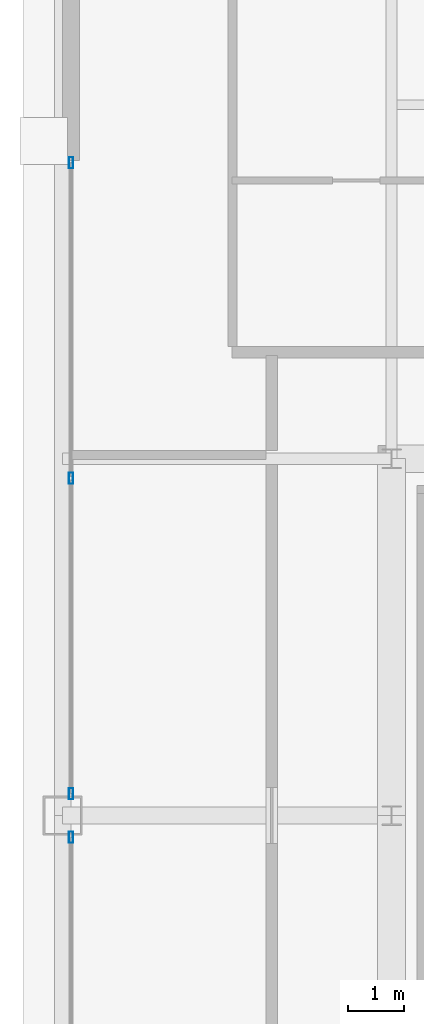
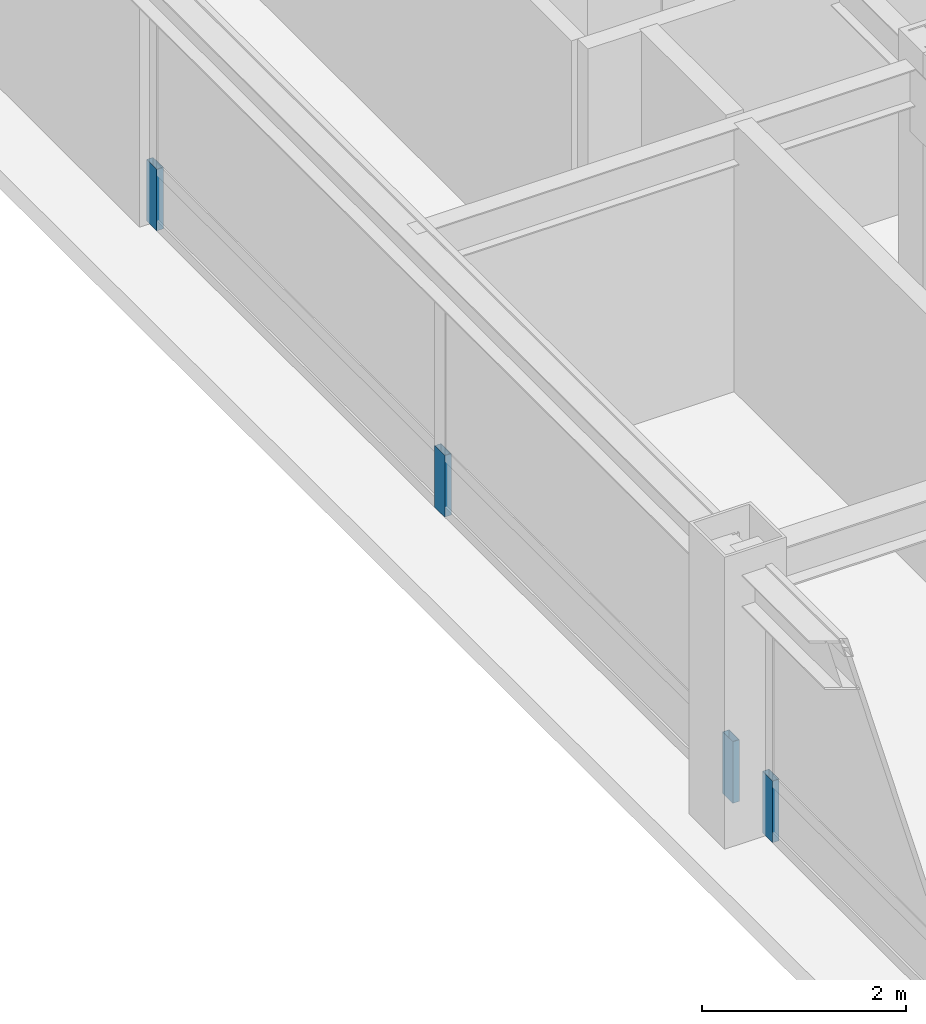
# One storey, part 24 of 35: 4 members, 2 elements without a shape of their own.
"""IFC4 building model written with IfcOpenShell, lengths in metres."""

import ifcopenshell
import ifcopenshell.guid

model = None  # the IFC model being written
_history = None  # IfcOwnerHistory: only IFC2X3 demands one
_inside = {}  # id of a spatial element -> (the spatial element, [elements in it])
_under = {}  # id of a project, library or spatial element -> (it, [spatial elements below it])
_declared = {}  # id of a project -> (the project, [libraries it declares])
_typed = {}  # id of a type object -> (the type object, [elements of that type])
_made_of = {}  # id of a material, layer set ... -> (it, [elements and type objects made of it])


def new_model(schema):
    """Start an empty IFC model of exactly this schema.

    Asked for "IFC4X3", IfcOpenShell would pick the latest addendum, in which some entities
    have other attributes; the version numbers below select the first issue.
    IFC2X3 requires an IfcOwnerHistory on every rooted entity: one is made here for all.
    """
    global model, _history
    if schema == "IFC4X3":
        model = ifcopenshell.file(schema_version=(4, 3, 0, 0))
    else:
        model = ifcopenshell.file(schema=schema)
    _inside.clear()
    _under.clear()
    _declared.clear()
    _typed.clear()
    _made_of.clear()
    _history = None
    if model.schema == "IFC2X3":
        org = make("IfcOrganization", Name="unknown")
        user = make(
            "IfcPersonAndOrganization",
            ThePerson=make("IfcPerson", FamilyName="unknown"),
            TheOrganization=org,
        )
        app = make(
            "IfcApplication",
            ApplicationDeveloper=org,
            Version="unknown",
            ApplicationFullName="unknown",
            ApplicationIdentifier="unknown",
        )
        _history = make(
            "IfcOwnerHistory",
            OwningUser=user,
            OwningApplication=app,
            ChangeAction="ADDED",
            CreationDate=0,
        )
    return model


def make(cls, **values):
    """One entity of the class cls with the attributes given. An attribute that is None is left unset."""
    return model.create_entity(
        cls, **{name: value for name, value in values.items() if value is not None}
    )


def rooted(cls, **values):
    """An entity with a GlobalId (a new one), such as an element, a storey or a relation."""
    return make(cls, GlobalId=ifcopenshell.guid.new(), OwnerHistory=_history, **values)


def si_unit(unit_type, name, prefix=None):
    """IfcSIUnit, for example si_unit("LENGTHUNIT", "METRE", prefix="MILLI")."""
    return make("IfcSIUnit", UnitType=unit_type, Prefix=prefix, Name=name)


def assignment(units):
    """IfcUnitAssignment: the units of a project."""
    return None if units is None else make("IfcUnitAssignment", Units=units)


def point(xyz):
    """IfcCartesianPoint."""
    return None if xyz is None else make("IfcCartesianPoint", Coordinates=xyz)


def direction(xyz):
    """IfcDirection."""
    return None if xyz is None else make("IfcDirection", DirectionRatios=xyz)


def frame(location, z_axis=None, x_axis=None):
    """IfcAxis2Placement3D, a coordinate frame: its origin and axes. An axis left out is left unset."""
    return make(
        "IfcAxis2Placement3D",
        Location=point(location),
        Axis=direction(z_axis),
        RefDirection=direction(x_axis),
    )


def frame_2d(location, x_axis=None):
    """IfcAxis2Placement2D, a coordinate frame in the plane: its origin and x axis."""
    return make(
        "IfcAxis2Placement2D", Location=point(location), RefDirection=direction(x_axis)
    )


def origin():
    """The frame at (0, 0, 0) with its axes left unset."""
    return frame((0.0, 0.0, 0.0))


def origin_2d():
    """The frame at (0, 0) in the plane with its x axis left unset."""
    return frame_2d((0.0, 0.0))


def place(relative_to, where):
    """IfcLocalPlacement: puts the frame where relative to a parent placement (None: the world)."""
    return make(
        "IfcLocalPlacement", PlacementRelTo=relative_to, RelativePlacement=where
    )


def context(
    kind, dimensions, precision=None, world=None, true_north=None, identifier=None
):
    """IfcGeometricRepresentationContext, for example the 3D "Model" context."""
    return make(
        "IfcGeometricRepresentationContext",
        ContextIdentifier=identifier,
        ContextType=kind,
        CoordinateSpaceDimension=dimensions,
        Precision=precision,
        WorldCoordinateSystem=world,
        TrueNorth=true_north,
    )


def subcontext(parent, identifier, kind, view, scale=None):
    """IfcGeometricRepresentationSubContext, for example "Body" below "Model"."""
    return make(
        "IfcGeometricRepresentationSubContext",
        ContextIdentifier=identifier,
        ContextType=kind,
        ParentContext=parent,
        TargetScale=scale,
        TargetView=view,
    )


def project(units=None, contexts=None):
    """IfcProject with its units and contexts."""
    return rooted(
        "IfcProject",
        Name="project",
        RepresentationContexts=contexts,
        UnitsInContext=assignment(units),
    )


def spatial(cls, under=None, at=None, **own):
    """A site, building, storey or space (cls), placed at a placement, below another one or the project."""
    s = rooted(cls, ObjectPlacement=at, **own)
    if under is not None:
        _under.setdefault(under.id(), (under, []))[1].append(s)
    return s


def profile(cls, at=None, kind="AREA", **sizes):
    """A parametric profile (cls). Its sizes go by their IFC names, for example OverallWidth=200.0."""
    return make(cls, ProfileType=kind, Position=at, **sizes)


def hollow_rectangle(**sizes):
    """IfcRectangleHollowProfileDef."""
    return profile("IfcRectangleHollowProfileDef", **sizes)


def extrude(swept, where, along, depth):
    """IfcExtrudedAreaSolid: the profile swept, set in the frame where, extruded along a direction by depth."""
    return make(
        "IfcExtrudedAreaSolid",
        SweptArea=swept,
        Position=where,
        ExtrudedDirection=direction(along),
        Depth=depth,
    )


def shape(context_of_items, identifier, shape_type, items):
    """IfcShapeRepresentation: the items that make up one representation, for example the "Body"."""
    return make(
        "IfcShapeRepresentation",
        ContextOfItems=context_of_items,
        RepresentationIdentifier=identifier,
        RepresentationType=shape_type,
        Items=items,
    )


def source(mapping_origin, context_of_items, identifier, shape_type, items):
    """IfcRepresentationMap: a shape defined once, which mapped items show again and again."""
    return make(
        "IfcRepresentationMap",
        MappingOrigin=mapping_origin,
        MappedRepresentation=shape(context_of_items, identifier, shape_type, items),
    )


def transform(
    local_origin,
    x_axis=None,
    y_axis=None,
    z_axis=None,
    scale=None,
    scale2=None,
    scale3=None,
    uniform=True,
):
    """IfcCartesianTransformationOperator3D, or its non-uniform kind. x_axis, y_axis, z_axis: its Axis1, 2, 3."""
    if uniform:
        return make(
            "IfcCartesianTransformationOperator3D",
            Axis1=direction(x_axis),
            Axis2=direction(y_axis),
            LocalOrigin=point(local_origin),
            Scale=scale,
            Axis3=direction(z_axis),
        )
    return make(
        "IfcCartesianTransformationOperator3DnonUniform",
        Axis1=direction(x_axis),
        Axis2=direction(y_axis),
        LocalOrigin=point(local_origin),
        Scale=scale,
        Axis3=direction(z_axis),
        Scale2=scale2,
        Scale3=scale3,
    )


def mapped(mapping_source, mapping_target):
    """IfcMappedItem: shows the shape of a source again, moved by a transform."""
    return make(
        "IfcMappedItem", MappingSource=mapping_source, MappingTarget=mapping_target
    )


def material(Name=None, Category=None):
    """IfcMaterial."""
    return make("IfcMaterial", Name=Name, Category=Category)


def layer(
    of_material, thickness, ventilated=None, Name=None, Category=None, Priority=None
):
    """IfcMaterialLayer: one layer of a wall or slab, of a material (None: an air gap)."""
    return make(
        "IfcMaterialLayer",
        Material=of_material,
        LayerThickness=thickness,
        IsVentilated=ventilated,
        Name=Name,
        Category=Category,
        Priority=Priority,
    )


def layer_set(layers, Name=None):
    """IfcMaterialLayerSet."""
    return make("IfcMaterialLayerSet", MaterialLayers=layers, LayerSetName=Name)


def material_profile(
    of_material, cross_section, Name=None, Category=None, Priority=None
):
    """IfcMaterialProfile: a cross section and its material."""
    return make(
        "IfcMaterialProfile",
        Name=Name,
        Material=of_material,
        Profile=cross_section,
        Priority=Priority,
        Category=Category,
    )


def profile_set(profiles, Name=None, composite=None):
    """IfcMaterialProfileSet."""
    return make(
        "IfcMaterialProfileSet",
        Name=Name,
        MaterialProfiles=profiles,
        CompositeProfile=composite,
    )


def made_of(thing, what):
    """Note that an element or type object is made of a material, layer set ...; save() writes the relation."""
    if what is not None:
        _made_of.setdefault(what.id(), (what, []))[1].append(thing)
    return thing


def type_object(cls, material=None, **own):
    """A type object (cls), such as IfcWallType, which elements share."""
    return made_of(rooted(cls, **own), material)


def element(
    cls,
    number,
    at=None,
    inside=None,
    cuts=None,
    type_object=None,
    material=None,
    context=None,
    identifier="Body",
    shape_type=None,
    held_by="IfcProductDefinitionShape",
    body=None,
    shapes=None,
    **own,
):
    """One element of the class cls, such as IfcWall. Its Tag is "e" and its number.

    at: its placement. inside: the storey or other place that contains it. cuts: it is an
    opening in that element (IfcRelVoidsElement). A single representation is given by context,
    identifier, shape_type and body (its items); several are given by shapes. held_by: the class
    of the entity that holds the representations. save() writes the other relations.
    """
    e = rooted(cls, Tag="e%d" % number, ObjectPlacement=at, **own)
    if body is not None:
        shapes = [shape(context, identifier, shape_type, body)]
    if shapes is not None:
        e.Representation = make(held_by, Representations=shapes)
    if inside is not None:
        _inside.setdefault(inside.id(), (inside, []))[1].append(e)
    if cuts is not None:
        rooted(
            "IfcRelVoidsElement", RelatingBuildingElement=cuts, RelatedOpeningElement=e
        )
    if type_object is not None:
        _typed.setdefault(type_object.id(), (type_object, []))[1].append(e)
    return made_of(e, material)


def aggregate(whole, parts):
    """IfcRelAggregates: a whole, such as a stair, and the parts it consists of."""
    return rooted("IfcRelAggregates", RelatingObject=whole, RelatedObjects=parts)


def save(model, path):
    """Write the relations noted so far, then the file.

    IfcRelAggregates (storeys below a building ...), IfcRelContainedInSpatialStructure (elements
    in a storey), IfcRelDefinesByType, IfcRelAssociatesMaterial and IfcRelDeclares: one each for
    every whole, place, type object, material and project.
    """
    for whole, parts in _under.values():
        aggregate(whole, parts)
    for where, things in _inside.values():
        rooted(
            "IfcRelContainedInSpatialStructure",
            RelatedElements=things,
            RelatingStructure=where,
        )
    for kind, things in _typed.values():
        rooted("IfcRelDefinesByType", RelatedObjects=things, RelatingType=kind)
    for what, things in _made_of.values():
        rooted("IfcRelAssociatesMaterial", RelatedObjects=things, RelatingMaterial=what)
    for by, libraries in _declared.values():
        rooted("IfcRelDeclares", RelatingContext=by, RelatedDefinitions=libraries)
    model.write(path)


model = new_model("IFC4")

# Units and contexts
model_context = context("Model", 3, precision=1e-05, world=origin(), true_north=direction((0.0, 1.0)))
body_context = subcontext(model_context, "Body", "Model", "MODEL_VIEW")
ifc_project = project(units=[si_unit("LENGTHUNIT", "METRE"), si_unit("AREAUNIT", "SQUARE_METRE"), si_unit("VOLUMEUNIT", "CUBIC_METRE"), si_unit("PLANEANGLEUNIT", "RADIAN"), si_unit("MASSUNIT", "GRAM", prefix="KILO"), si_unit("THERMODYNAMICTEMPERATUREUNIT", "KELVIN"), si_unit("POWERUNIT", "WATT")], contexts=[model_context])

# Site, building, storey
site_placement = place(None, origin())
site = spatial("IfcSite", under=ifc_project, at=site_placement, CompositionType="ELEMENT")
building_placement = place(site_placement, origin())
building = spatial("IfcBuilding", under=site, at=building_placement, Name="Yuzanri Waterfront Tower", CompositionType="ELEMENT")
storey_placement = place(building_placement, frame((0.0, 0.0, 303.10009765625)))
storey = spatial("IfcBuildingStorey", under=building, at=storey_placement, Name="L81", CompositionType="ELEMENT", Elevation=303.10009765625)

# Curtain wall, member
ifc_material_1 = material(Name="Anodized Architectural Bronze", Category="metal")
ifc_layer = layer(ifc_material_1, 0.159912109375)
ifc_layer_set = layer_set([ifc_layer], Name="Anodized Architectural Bronze")
curtain_wall_type = type_object("IfcCurtainWallType", Name="Anodized Bronze High-Rise Penthouse High-Wind Unitized Curtain Wall 6900", PredefinedType="NOTDEFINED", material=ifc_layer_set)
curtain_wall_1_placement = place(storey_placement, origin())
curtain_wall_1 = element("IfcCurtainWall", 1, at=curtain_wall_1_placement, inside=storey, type_object=curtain_wall_type, Name="L81 Curtain Wall CW-L81-WL", PredefinedType="NOTDEFINED")
ifc_material_2 = material(Name="Anodized Architectural Bronze", Category="metal")
ifc_material_profile = material_profile(ifc_material_2, hollow_rectangle(XDim=0.074951171875, YDim=0.199951171875, WallThickness=0.00390625, at=origin_2d()), Name="CWM 75x200")
ifc_profile_set = profile_set([ifc_material_profile], Name="Anodized Architectural Bronze")
member_type = type_object("IfcMemberType", Name="Anodized Bronze Primary Curtain-Wall Mullion 75x200", PredefinedType="MULLION", material=ifc_profile_set)
shared_shape = source(origin(), body_context, "Body", "SweptSolid", [
    extrude(hollow_rectangle(XDim=0.074951171875, YDim=0.199951171875, WallThickness=0.00390625, at=origin_2d()), origin(), (0.0, 0.0, 1.0), 0.739013671875),
])
member_1_placement = place(storey_placement, frame((18.050048828125, 25.409912109375, 0.0), z_axis=(0.0, 0.0, 1.0), x_axis=(1.0, 0.0, 0.0)))
member_1 = element("IfcMember", 2, at=member_1_placement, type_object=member_type, Name="CW-L81-WL Lower Mullion 02", PredefinedType="MULLION", context=body_context, shape_type="MappedRepresentation", body=[
    mapped(shared_shape, transform((0.0, 0.0, 0.0), scale=1.0)),
])
aggregate(curtain_wall_1, [member_1])

# Curtain wall, members
curtain_wall_2_placement = place(storey_placement, origin())
curtain_wall_2 = element("IfcCurtainWall", 3, at=curtain_wall_2_placement, inside=storey, type_object=curtain_wall_type, Name="L81 Curtain Wall CW-L81-WR", PredefinedType="NOTDEFINED")
member_2_placement = place(storey_placement, frame((18.050048828125, 26.18994140625, 0.0), z_axis=(0.0, 0.0, 1.0), x_axis=(1.0, 0.0, 0.0)))
member_2 = element("IfcMember", 4, at=member_2_placement, type_object=member_type, Name="CW-L81-WR Lower Mullion 00", PredefinedType="MULLION", context=body_context, shape_type="MappedRepresentation", body=[
    mapped(shared_shape, transform((0.0, 0.0, 0.0), scale=1.0)),
])
member_3_placement = place(storey_placement, frame((18.050048828125, 31.85009765625, 0.0), z_axis=(0.0, 0.0, 1.0), x_axis=(1.0, 0.0, 0.0)))
member_3 = element("IfcMember", 5, at=member_3_placement, type_object=member_type, Name="CW-L81-WR Lower Mullion 01", PredefinedType="MULLION", context=body_context, shape_type="MappedRepresentation", body=[
    mapped(shared_shape, transform((0.0, 0.0, 0.0), scale=1.0)),
])
member_4_placement = place(storey_placement, frame((18.050048828125, 37.510009765625, 0.0), z_axis=(0.0, 0.0, 1.0), x_axis=(1.0, 0.0, 0.0)))
member_4 = element("IfcMember", 6, at=member_4_placement, type_object=member_type, Name="CW-L81-WR Lower Mullion 02", PredefinedType="MULLION", context=body_context, shape_type="MappedRepresentation", body=[
    mapped(shared_shape, transform((0.0, 0.0, 0.0), scale=1.0)),
])
aggregate(curtain_wall_2, [member_2, member_3, member_4])

save(model, "model.ifc")
